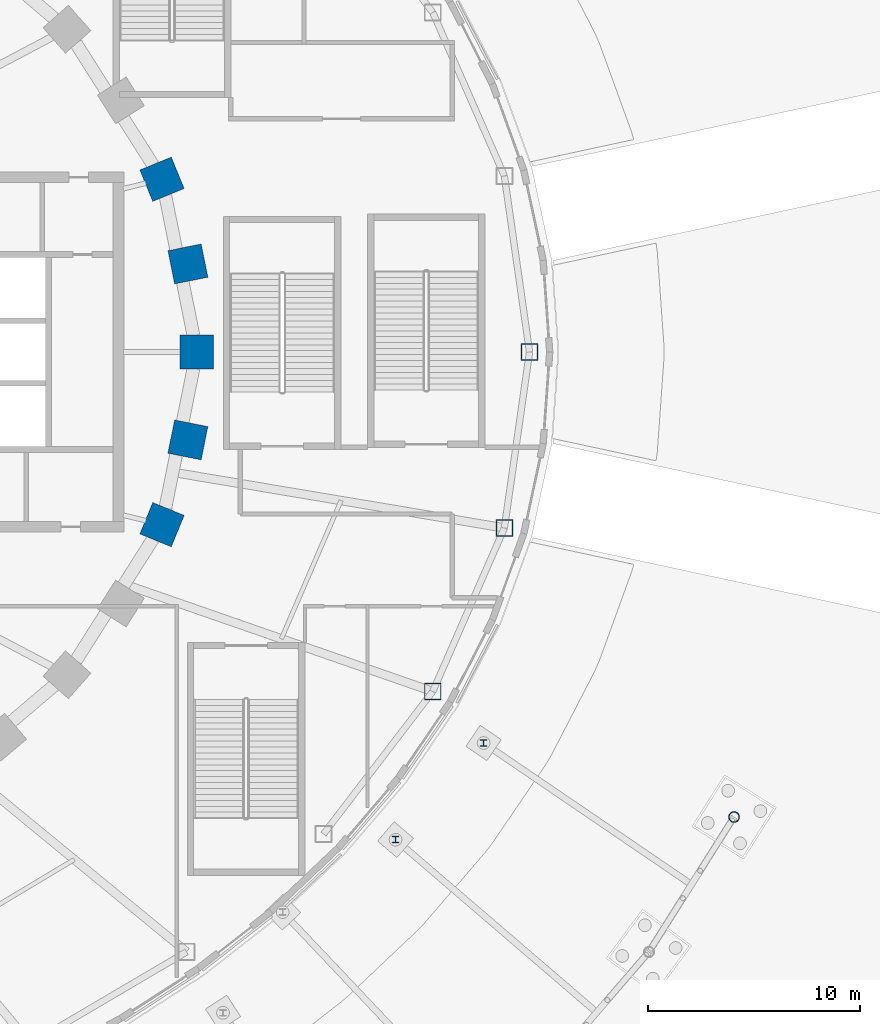
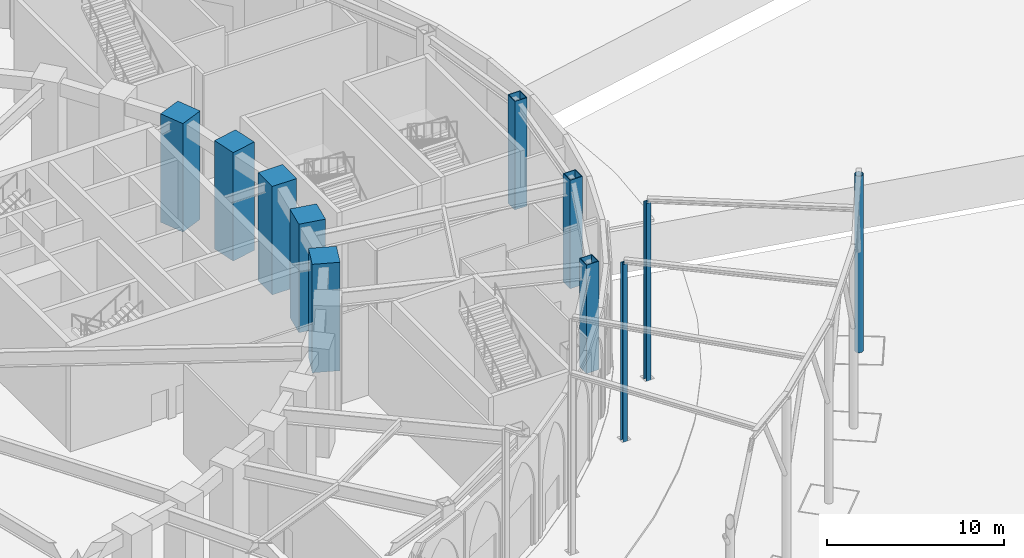
# One storey, part 16 of 79: 11 columns.
"""IFC4 building model written with IfcOpenShell, lengths in metres."""

import ifcopenshell
import ifcopenshell.guid

model = None  # the IFC model being written
_history = None  # IfcOwnerHistory: only IFC2X3 demands one
_inside = {}  # id of a spatial element -> (the spatial element, [elements in it])
_under = {}  # id of a project, library or spatial element -> (it, [spatial elements below it])
_declared = {}  # id of a project -> (the project, [libraries it declares])
_typed = {}  # id of a type object -> (the type object, [elements of that type])
_made_of = {}  # id of a material, layer set ... -> (it, [elements and type objects made of it])


def new_model(schema):
    """Start an empty IFC model of exactly this schema.

    Asked for "IFC4X3", IfcOpenShell would pick the latest addendum, in which some entities
    have other attributes; the version numbers below select the first issue.
    IFC2X3 requires an IfcOwnerHistory on every rooted entity: one is made here for all.
    """
    global model, _history
    if schema == "IFC4X3":
        model = ifcopenshell.file(schema_version=(4, 3, 0, 0))
    else:
        model = ifcopenshell.file(schema=schema)
    _inside.clear()
    _under.clear()
    _declared.clear()
    _typed.clear()
    _made_of.clear()
    _history = None
    if model.schema == "IFC2X3":
        org = make("IfcOrganization", Name="unknown")
        user = make(
            "IfcPersonAndOrganization",
            ThePerson=make("IfcPerson", FamilyName="unknown"),
            TheOrganization=org,
        )
        app = make(
            "IfcApplication",
            ApplicationDeveloper=org,
            Version="unknown",
            ApplicationFullName="unknown",
            ApplicationIdentifier="unknown",
        )
        _history = make(
            "IfcOwnerHistory",
            OwningUser=user,
            OwningApplication=app,
            ChangeAction="ADDED",
            CreationDate=0,
        )
    return model


def make(cls, **values):
    """One entity of the class cls with the attributes given. An attribute that is None is left unset."""
    return model.create_entity(
        cls, **{name: value for name, value in values.items() if value is not None}
    )


def rooted(cls, **values):
    """An entity with a GlobalId (a new one), such as an element, a storey or a relation."""
    return make(cls, GlobalId=ifcopenshell.guid.new(), OwnerHistory=_history, **values)


def si_unit(unit_type, name, prefix=None):
    """IfcSIUnit, for example si_unit("LENGTHUNIT", "METRE", prefix="MILLI")."""
    return make("IfcSIUnit", UnitType=unit_type, Prefix=prefix, Name=name)


def assignment(units):
    """IfcUnitAssignment: the units of a project."""
    return None if units is None else make("IfcUnitAssignment", Units=units)


def point(xyz):
    """IfcCartesianPoint."""
    return None if xyz is None else make("IfcCartesianPoint", Coordinates=xyz)


def direction(xyz):
    """IfcDirection."""
    return None if xyz is None else make("IfcDirection", DirectionRatios=xyz)


def frame(location, z_axis=None, x_axis=None):
    """IfcAxis2Placement3D, a coordinate frame: its origin and axes. An axis left out is left unset."""
    return make(
        "IfcAxis2Placement3D",
        Location=point(location),
        Axis=direction(z_axis),
        RefDirection=direction(x_axis),
    )


def frame_2d(location, x_axis=None):
    """IfcAxis2Placement2D, a coordinate frame in the plane: its origin and x axis."""
    return make(
        "IfcAxis2Placement2D", Location=point(location), RefDirection=direction(x_axis)
    )


def origin():
    """The frame at (0, 0, 0) with its axes left unset."""
    return frame((0.0, 0.0, 0.0))


def origin_2d():
    """The frame at (0, 0) in the plane with its x axis left unset."""
    return frame_2d((0.0, 0.0))


def place(relative_to, where):
    """IfcLocalPlacement: puts the frame where relative to a parent placement (None: the world)."""
    return make(
        "IfcLocalPlacement", PlacementRelTo=relative_to, RelativePlacement=where
    )


def context(
    kind, dimensions, precision=None, world=None, true_north=None, identifier=None
):
    """IfcGeometricRepresentationContext, for example the 3D "Model" context."""
    return make(
        "IfcGeometricRepresentationContext",
        ContextIdentifier=identifier,
        ContextType=kind,
        CoordinateSpaceDimension=dimensions,
        Precision=precision,
        WorldCoordinateSystem=world,
        TrueNorth=true_north,
    )


def subcontext(parent, identifier, kind, view, scale=None):
    """IfcGeometricRepresentationSubContext, for example "Body" below "Model"."""
    return make(
        "IfcGeometricRepresentationSubContext",
        ContextIdentifier=identifier,
        ContextType=kind,
        ParentContext=parent,
        TargetScale=scale,
        TargetView=view,
    )


def project(units=None, contexts=None):
    """IfcProject with its units and contexts."""
    return rooted(
        "IfcProject",
        Name="project",
        RepresentationContexts=contexts,
        UnitsInContext=assignment(units),
    )


def spatial(cls, under=None, at=None, **own):
    """A site, building, storey or space (cls), placed at a placement, below another one or the project."""
    s = rooted(cls, ObjectPlacement=at, **own)
    if under is not None:
        _under.setdefault(under.id(), (under, []))[1].append(s)
    return s


def profile(cls, at=None, kind="AREA", **sizes):
    """A parametric profile (cls). Its sizes go by their IFC names, for example OverallWidth=200.0."""
    return make(cls, ProfileType=kind, Position=at, **sizes)


def rectangle(**sizes):
    """IfcRectangleProfileDef."""
    return profile("IfcRectangleProfileDef", **sizes)


def hollow_rectangle(**sizes):
    """IfcRectangleHollowProfileDef."""
    return profile("IfcRectangleHollowProfileDef", **sizes)


def hollow_circle(**sizes):
    """IfcCircleHollowProfileDef."""
    return profile("IfcCircleHollowProfileDef", **sizes)


def i_section(**sizes):
    """IfcIShapeProfileDef."""
    return profile("IfcIShapeProfileDef", **sizes)


def extrude(swept, where, along, depth):
    """IfcExtrudedAreaSolid: the profile swept, set in the frame where, extruded along a direction by depth."""
    return make(
        "IfcExtrudedAreaSolid",
        SweptArea=swept,
        Position=where,
        ExtrudedDirection=direction(along),
        Depth=depth,
    )


def shape(context_of_items, identifier, shape_type, items):
    """IfcShapeRepresentation: the items that make up one representation, for example the "Body"."""
    return make(
        "IfcShapeRepresentation",
        ContextOfItems=context_of_items,
        RepresentationIdentifier=identifier,
        RepresentationType=shape_type,
        Items=items,
    )


def material(Name=None, Category=None):
    """IfcMaterial."""
    return make("IfcMaterial", Name=Name, Category=Category)


def material_profile(
    of_material, cross_section, Name=None, Category=None, Priority=None
):
    """IfcMaterialProfile: a cross section and its material."""
    return make(
        "IfcMaterialProfile",
        Name=Name,
        Material=of_material,
        Profile=cross_section,
        Priority=Priority,
        Category=Category,
    )


def profile_set(profiles, Name=None, composite=None):
    """IfcMaterialProfileSet."""
    return make(
        "IfcMaterialProfileSet",
        Name=Name,
        MaterialProfiles=profiles,
        CompositeProfile=composite,
    )


def made_of(thing, what):
    """Note that an element or type object is made of a material, layer set ...; save() writes the relation."""
    if what is not None:
        _made_of.setdefault(what.id(), (what, []))[1].append(thing)
    return thing


def type_object(cls, material=None, **own):
    """A type object (cls), such as IfcWallType, which elements share."""
    return made_of(rooted(cls, **own), material)


def element(
    cls,
    number,
    at=None,
    inside=None,
    cuts=None,
    type_object=None,
    material=None,
    context=None,
    identifier="Body",
    shape_type=None,
    held_by="IfcProductDefinitionShape",
    body=None,
    shapes=None,
    **own,
):
    """One element of the class cls, such as IfcWall. Its Tag is "e" and its number.

    at: its placement. inside: the storey or other place that contains it. cuts: it is an
    opening in that element (IfcRelVoidsElement). A single representation is given by context,
    identifier, shape_type and body (its items); several are given by shapes. held_by: the class
    of the entity that holds the representations. save() writes the other relations.
    """
    e = rooted(cls, Tag="e%d" % number, ObjectPlacement=at, **own)
    if body is not None:
        shapes = [shape(context, identifier, shape_type, body)]
    if shapes is not None:
        e.Representation = make(held_by, Representations=shapes)
    if inside is not None:
        _inside.setdefault(inside.id(), (inside, []))[1].append(e)
    if cuts is not None:
        rooted(
            "IfcRelVoidsElement", RelatingBuildingElement=cuts, RelatedOpeningElement=e
        )
    if type_object is not None:
        _typed.setdefault(type_object.id(), (type_object, []))[1].append(e)
    return made_of(e, material)


def aggregate(whole, parts):
    """IfcRelAggregates: a whole, such as a stair, and the parts it consists of."""
    return rooted("IfcRelAggregates", RelatingObject=whole, RelatedObjects=parts)


def save(model, path):
    """Write the relations noted so far, then the file.

    IfcRelAggregates (storeys below a building ...), IfcRelContainedInSpatialStructure (elements
    in a storey), IfcRelDefinesByType, IfcRelAssociatesMaterial and IfcRelDeclares: one each for
    every whole, place, type object, material and project.
    """
    for whole, parts in _under.values():
        aggregate(whole, parts)
    for where, things in _inside.values():
        rooted(
            "IfcRelContainedInSpatialStructure",
            RelatedElements=things,
            RelatingStructure=where,
        )
    for kind, things in _typed.values():
        rooted("IfcRelDefinesByType", RelatedObjects=things, RelatingType=kind)
    for what, things in _made_of.values():
        rooted("IfcRelAssociatesMaterial", RelatedObjects=things, RelatingMaterial=what)
    for by, libraries in _declared.values():
        rooted("IfcRelDeclares", RelatingContext=by, RelatedDefinitions=libraries)
    model.write(path)


model = new_model("IFC4")

# Units and contexts
model_context = context("Model", 3, precision=1e-05, world=origin(), true_north=direction((0.0, 1.0)))
body_context = subcontext(model_context, "Body", "Model", "MODEL_VIEW")
ifc_project = project(units=[si_unit("LENGTHUNIT", "METRE"), si_unit("AREAUNIT", "SQUARE_METRE"), si_unit("VOLUMEUNIT", "CUBIC_METRE"), si_unit("PLANEANGLEUNIT", "RADIAN"), si_unit("MASSUNIT", "GRAM", prefix="KILO")], contexts=[model_context])

# Site, building, storey
site_placement = place(None, origin())
site = spatial("IfcSite", under=ifc_project, at=site_placement, CompositionType="ELEMENT")
building_placement = place(site_placement, origin())
building = spatial("IfcBuilding", under=site, at=building_placement, Name="Noorbagh Ring Tower", CompositionType="ELEMENT")
storey_placement = place(building_placement, origin())
storey = spatial("IfcBuildingStorey", under=building, at=storey_placement, Name="L00", CompositionType="ELEMENT", Elevation=0.0)

# Columns
ifc_material_1 = material(Name="Steel S355", Category="steel")
ifc_material_profile_1 = material_profile(ifc_material_1, hollow_circle(Radius=0.25390625, WallThickness=0.02490234375, at=origin_2d()), Name="CHS508x25")
ifc_profile_set_1 = profile_set([ifc_material_profile_1], Name="Steel S355")
column_type_1 = type_object("IfcColumnType", Name="GND-CANOPY-TRUNK", PredefinedType="COLUMN", material=ifc_profile_set_1)
column_placement = place(storey_placement, frame((60.2978515625, -21.94677734375, -0.14990234375), z_axis=(0.0, 0.0, 1.0), x_axis=(1.0, 0.0, 0.0)))
element("IfcColumn", 1, at=column_placement, inside=storey, type_object=column_type_1, Name="Canopy trunk 20", PredefinedType="COLUMN", context=body_context, shape_type="SweptSolid", body=[
    extrude(hollow_circle(Radius=0.25390625, WallThickness=0.02490234375, at=origin_2d()), origin(), (0.0, 0.0, 1.0), 12.199951171875),
])
ifc_material_2 = material(Name="Steel S355", Category="steel")
ifc_material_profile_2 = material_profile(ifc_material_2, hollow_rectangle(XDim=0.800048828125, YDim=0.800048828125, WallThickness=0.0400390625, at=origin_2d()), Name="BOX800x800x40")
ifc_profile_set_2 = profile_set([ifc_material_profile_2], Name="Steel S355")
column_type_2 = type_object("IfcColumnType", Name="GND-COL-BOX800x800x40", PredefinedType="COLUMN", material=ifc_profile_set_2)
for number, where, z_axis, x_axis, name in (
    (2, (50.646484375, 0.0, 0.0), (0.0, 0.0, 1.0), (1.0, 0.0, 0.0), "L00/col/RP-01"),
    (3, (46.081298828125, -16.021240234375, 0.0), (0.0, 0.0, 1.0), (1.0, 0.0, 0.0), "L00/col/RP-32"),
    (4, (49.4609375, -8.304443359375, 0.0), (0.0, 0.0, 1.0), (1.0, 0.0, 0.0), "L00/col/RP-33"),
):
    element("IfcColumn", number, at=place(storey_placement, frame(where, z_axis=z_axis, x_axis=x_axis)), inside=storey, type_object=column_type_2, Name=name, PredefinedType="COLUMN", context=body_context, shape_type="SweptSolid", body=[
        extrude(hollow_rectangle(XDim=0.800048828125, YDim=0.800048828125, WallThickness=0.0400390625, at=origin_2d()), origin(), (0.0, 0.0, 1.0), 7.5),
    ])
ifc_material_3 = material(Name="Steel S355", Category="steel")
ifc_material_profile_3 = material_profile(ifc_material_3, i_section(OverallWidth=0.300048828125, OverallDepth=0.300048828125, WebThickness=0.010986328125, FlangeThickness=0.01904296875, FilletRadius=0.027099609375, at=origin_2d()), Name="HEB300")
ifc_profile_set_3 = profile_set([ifc_material_profile_3], Name="Steel S355")
column_type_3 = type_object("IfcColumnType", Name="GND-LINK-POST", PredefinedType="COLUMN", material=ifc_profile_set_3)
for number, where, z_axis, x_axis, name in (
    (5, (44.3251953125, -23.014404296875, -0.14990234375), (0.0, 0.0, 1.0), (1.0, 0.0, 0.0), "Canopy link post 18"),
    (6, (48.478759765625, -18.452392578125, -0.14990234375), (0.0, 0.0, 1.0), (1.0, 0.0, 0.0), "Canopy link post 19"),
):
    element("IfcColumn", number, at=place(storey_placement, frame(where, z_axis=z_axis, x_axis=x_axis)), inside=storey, type_object=column_type_3, Name=name, PredefinedType="COLUMN", context=body_context, shape_type="SweptSolid", body=[
        extrude(i_section(OverallWidth=0.300048828125, OverallDepth=0.300048828125, WebThickness=0.010986328125, FlangeThickness=0.01904296875, FilletRadius=0.027099609375, at=origin_2d()), origin(), (0.0, 0.0, 1.0), 12.2998046875),
    ])
ifc_material_4 = material(Name="Concrete C70/85", Category="concrete")
ifc_material_profile_4 = material_profile(ifc_material_4, rectangle(XDim=1.60009765625, YDim=1.60009765625, at=origin_2d()), Name="RC1600x1600")
ifc_profile_set_4 = profile_set([ifc_material_profile_4], Name="Concrete C70/85")
column_type_4 = type_object("IfcColumnType", Name="STR-COL-RC1600x1600-C70-85", PredefinedType="COLUMN", material=ifc_profile_set_4)
for number, where, z_axis, x_axis, name in (
    (7, (34.944580078125, 0.0, 0.0), (0.0, 0.0, 1.0), (0.0, 1.0, 0.0), "L00/col/R1-01"),
    (8, (34.52685546875, 4.150634765625, 0.0), (0.0, 0.0, 1.0), (-0.19723040178, 0.9803571638, 0.0), "L00/col/R1-02"),
    (9, (33.30517578125, 8.1494140625, 0.0), (0.0, 0.0, 1.0), (-0.378989499959, 0.925400971969, 0.0), "L00/col/R1-03"),
    (10, (33.30517578125, -8.1494140625, 0.0), (0.0, 0.0, 1.0), (0.378989499959, 0.925400971969, 0.0), "L00/col/R1-45"),
    (11, (34.52685546875, -4.150634765625, 0.0), (0.0, 0.0, 1.0), (0.19723040178, 0.9803571638, 0.0), "L00/col/R1-46"),
):
    element("IfcColumn", number, at=place(storey_placement, frame(where, z_axis=z_axis, x_axis=x_axis)), inside=storey, type_object=column_type_4, Name=name, PredefinedType="COLUMN", context=body_context, shape_type="SweptSolid", body=[
        extrude(rectangle(XDim=1.60009765625, YDim=1.60009765625, at=origin_2d()), origin(), (0.0, 0.0, 1.0), 7.5),
    ])

save(model, "model.ifc")
